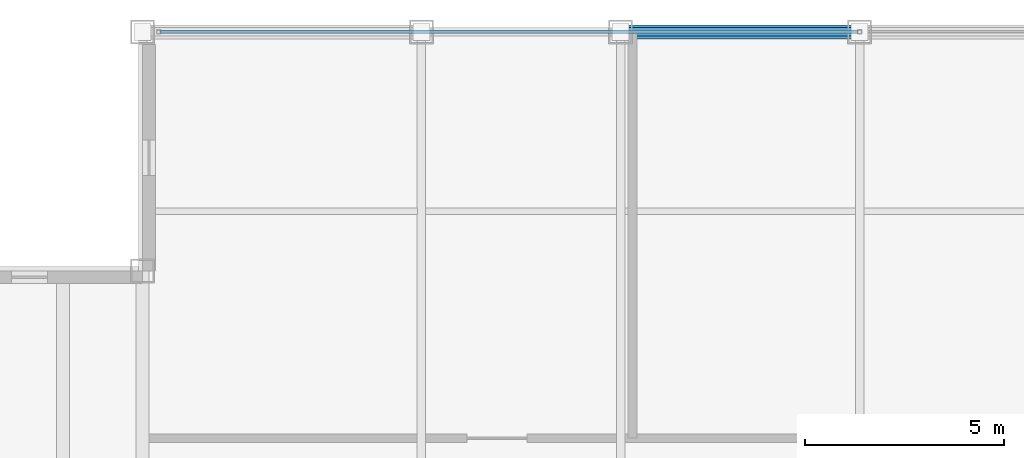
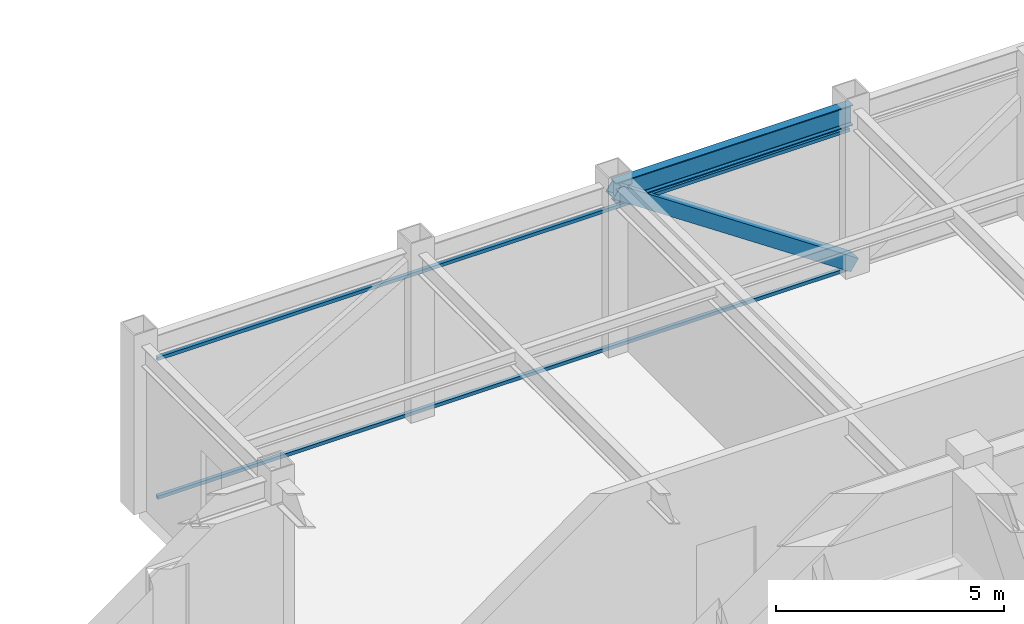
# One storey, part 17 of 27: 3 members, 1 beam, 1 element without a shape of its own.
"""IFC4 building model written with IfcOpenShell, lengths in metres."""

from ifc_helpers import new_model, si_unit, direction, frame, origin, origin_2d, place, context, subcontext, project, spatial, hollow_rectangle, i_section, extrude, source, transform, mapped, material, material_profile, profile_set, type_object, element, aggregate, save


model = new_model("IFC4")

# Units and contexts
model_context = context("Model", 3, precision=1e-05, world=origin(), true_north=direction((0.0, 1.0)))
body_context = subcontext(model_context, "Body", "Model", "MODEL_VIEW")
ifc_project = project(units=[si_unit("LENGTHUNIT", "METRE"), si_unit("AREAUNIT", "SQUARE_METRE"), si_unit("VOLUMEUNIT", "CUBIC_METRE"), si_unit("PLANEANGLEUNIT", "RADIAN"), si_unit("MASSUNIT", "GRAM", prefix="KILO")], contexts=[model_context])

# Site, building, storey
site_placement = place(None, origin())
site = spatial("IfcSite", under=ifc_project, at=site_placement, CompositionType="ELEMENT")
building_placement = place(site_placement, origin())
building = spatial("IfcBuilding", under=site, at=building_placement, Name="Khorayat Bourse Tower", CompositionType="ELEMENT")
storey_placement = place(building_placement, frame((0.0, 0.0, 385.10009765625)))
storey = spatial("IfcBuildingStorey", under=building, at=storey_placement, Name="L91", CompositionType="ELEMENT", Elevation=385.10009765625)

# Beam
ifc_material_1 = material(Name="Steel ASTM A992 Grade 50", Category="steel")
ifc_material_profile_1 = material_profile(ifc_material_1, i_section(OverallWidth=0.214111328125, OverallDepth=0.549072265625, WebThickness=0.0146484375, FlangeThickness=0.023681640625, FilletRadius=0.013916015625, at=origin_2d()), Name="W530X138")
ifc_profile_set_1 = profile_set([ifc_material_profile_1], Name="Steel ASTM A992 Grade 50")
beam_type = type_object("IfcBeamType", Name="BM-SPAN-530", PredefinedType="SPANDREL", material=ifc_profile_set_1)
shared_shape_1 = source(origin(), body_context, "Body", "SweptSolid", [
    extrude(i_section(OverallWidth=0.214111328125, OverallDepth=0.549072265625, WebThickness=0.0146484375, FlangeThickness=0.023681640625, FilletRadius=0.013916015625, at=origin_2d()), origin(), (0.0, 0.0, 1.0), 6.0),
])
beam_placement = place(storey_placement, frame((-6.0, 24.0, 4.17529296875), z_axis=(1.0, 0.0, 0.0), x_axis=(0.0, 1.0, 0.0)))
element("IfcBeam", 1, at=beam_placement, inside=storey, type_object=beam_type, Name="L91 BM-SPAN-530 BM-L91-SPN-043", PredefinedType="SPANDREL", context=body_context, shape_type="MappedRepresentation", body=[
    mapped(shared_shape_1, transform((0.0, 0.0, 0.0), scale=1.0)),
])

# Member
ifc_material_2 = material(Name="Steel EN 10025-2 S355J2", Category="steel")
ifc_material_profile_2 = material_profile(ifc_material_2, hollow_rectangle(XDim=0.35009765625, YDim=0.35009765625, WallThickness=0.02001953125, at=origin_2d()), Name="HSS 350x350x20")
ifc_profile_set_2 = profile_set([ifc_material_profile_2], Name="Steel EN 10025-2 S355J2")
member_type_1 = type_object("IfcMemberType", Name="MBR-CROWN-350", PredefinedType="USERDEFINED", material=ifc_profile_set_2)
shared_shape_2 = source(origin(), body_context, "Body", "SweptSolid", [
    extrude(hollow_rectangle(XDim=0.35009765625, YDim=0.35009765625, WallThickness=0.02001953125, at=origin_2d()), origin(), (0.0, 0.0, 1.0), 7.239013671875),
])
member_1_placement = place(storey_placement, frame((-6.0, 24.0, 4.25), z_axis=(0.828845546207, 0.0, -0.559477488852), x_axis=(0.0, 1.0, 0.0)))
element("IfcMember", 2, at=member_1_placement, inside=storey, type_object=member_type_1, Name="L91 Lantern Crown Frame Member 06", ObjectType="CROWN FRAME", PredefinedType="USERDEFINED", context=body_context, shape_type="MappedRepresentation", body=[
    mapped(shared_shape_2, transform((0.0, 0.0, 0.0), scale=1.0)),
])

# Curtain wall, members
ifc_material_3 = material(Name="Aluminium EN AW-6063 T6", Category="aluminium")
curtain_wall_type = type_object("IfcCurtainWallType", Name="CW-SYS-07", PredefinedType="NOTDEFINED", material=ifc_material_3)
curtain_wall_placement = place(storey_placement, origin())
curtain_wall = element("IfcCurtainWall", 3, at=curtain_wall_placement, inside=storey, type_object=curtain_wall_type, Name="L91 Curtain Wall CW-L91-N1", PredefinedType="NOTDEFINED")
ifc_material_profile_3 = material_profile(ifc_material_3, hollow_rectangle(XDim=0.090087890625, YDim=0.090087890625, WallThickness=0.00390625, at=origin_2d()), Name="ALU 90x90x4")
ifc_profile_set_3 = profile_set([ifc_material_profile_3], Name="Aluminium EN AW-6063 T6")
member_type_2 = type_object("IfcMemberType", Name="CWT-HORZ-90", PredefinedType="USERDEFINED", material=ifc_profile_set_3)
shared_shape_3 = source(origin(), body_context, "Body", "SweptSolid", [
    extrude(hollow_rectangle(XDim=0.090087890625, YDim=0.090087890625, WallThickness=0.00390625, at=origin_2d()), origin(), (0.0, 0.0, 1.0), 17.5),
])
member_2_placement = place(storey_placement, frame((-17.550048828125, 24.0, 0.044921875), z_axis=(1.0, 0.0, 0.0), x_axis=(0.0, 1.0, 0.0)))
member_2 = element("IfcMember", 4, at=member_2_placement, type_object=member_type_2, Name="CW-L91-N1 Horizontal Transom 1-1", ObjectType="TRANSOM", PredefinedType="USERDEFINED", context=body_context, shape_type="MappedRepresentation", body=[
    mapped(shared_shape_3, transform((0.0, 0.0, 0.0), scale=1.0)),
])
member_3_placement = place(storey_placement, frame((-17.550048828125, 24.0, 3.7548828125), z_axis=(1.0, 0.0, 0.0), x_axis=(0.0, 1.0, 0.0)))
member_3 = element("IfcMember", 5, at=member_3_placement, type_object=member_type_2, Name="CW-L91-N1 Horizontal Transom 1-2", ObjectType="TRANSOM", PredefinedType="USERDEFINED", context=body_context, shape_type="MappedRepresentation", body=[
    mapped(shared_shape_3, transform((0.0, 0.0, 0.0), scale=1.0)),
])
aggregate(curtain_wall, [member_2, member_3])

save(model, "model.ifc")
